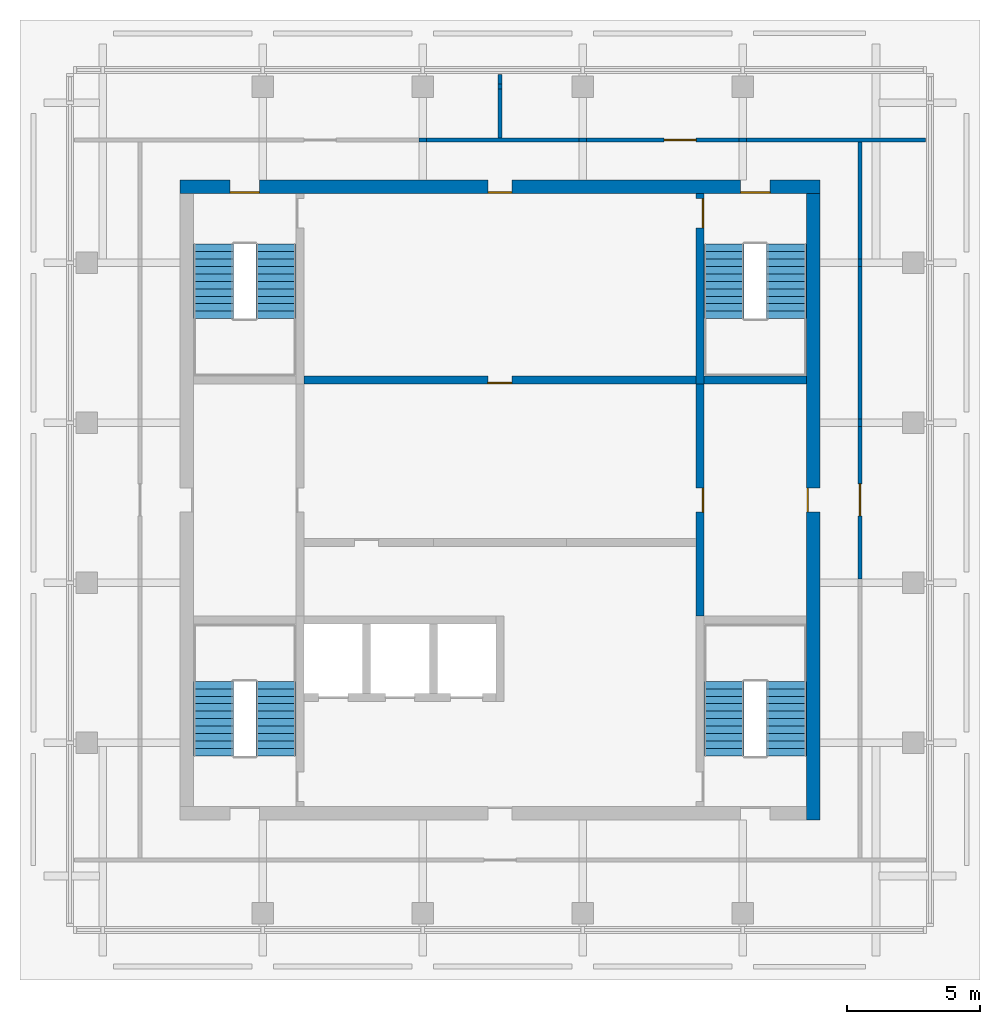
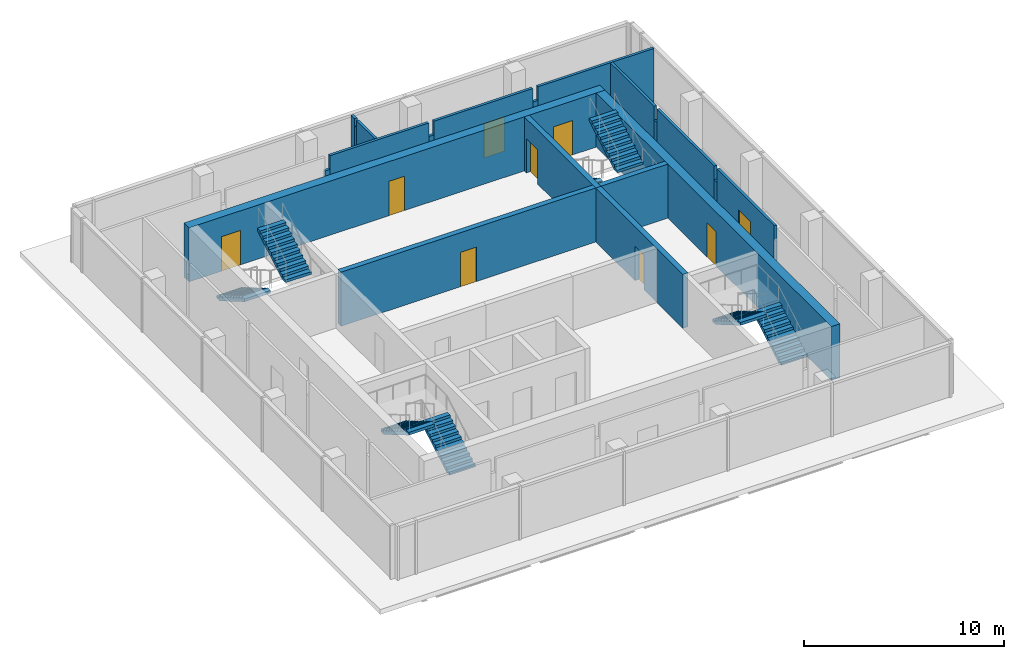
# One storey, part 4 of 5: 20 walls, 9 doors, 8 stair flights, 9 openings, 4 elements without a shape of their own.
"""IFC4 building model written with IfcOpenShell, lengths in metres."""

import ifcopenshell
import ifcopenshell.guid

model = None  # the IFC model being written
_history = None  # IfcOwnerHistory: only IFC2X3 demands one
_inside = {}  # id of a spatial element -> (the spatial element, [elements in it])
_under = {}  # id of a project, library or spatial element -> (it, [spatial elements below it])
_declared = {}  # id of a project -> (the project, [libraries it declares])
_typed = {}  # id of a type object -> (the type object, [elements of that type])
_made_of = {}  # id of a material, layer set ... -> (it, [elements and type objects made of it])


def new_model(schema):
    """Start an empty IFC model of exactly this schema.

    Asked for "IFC4X3", IfcOpenShell would pick the latest addendum, in which some entities
    have other attributes; the version numbers below select the first issue.
    IFC2X3 requires an IfcOwnerHistory on every rooted entity: one is made here for all.
    """
    global model, _history
    if schema == "IFC4X3":
        model = ifcopenshell.file(schema_version=(4, 3, 0, 0))
    else:
        model = ifcopenshell.file(schema=schema)
    _inside.clear()
    _under.clear()
    _declared.clear()
    _typed.clear()
    _made_of.clear()
    _history = None
    if model.schema == "IFC2X3":
        org = make("IfcOrganization", Name="unknown")
        user = make(
            "IfcPersonAndOrganization",
            ThePerson=make("IfcPerson", FamilyName="unknown"),
            TheOrganization=org,
        )
        app = make(
            "IfcApplication",
            ApplicationDeveloper=org,
            Version="unknown",
            ApplicationFullName="unknown",
            ApplicationIdentifier="unknown",
        )
        _history = make(
            "IfcOwnerHistory",
            OwningUser=user,
            OwningApplication=app,
            ChangeAction="ADDED",
            CreationDate=0,
        )
    return model


def make(cls, **values):
    """One entity of the class cls with the attributes given. An attribute that is None is left unset."""
    return model.create_entity(
        cls, **{name: value for name, value in values.items() if value is not None}
    )


def rooted(cls, **values):
    """An entity with a GlobalId (a new one), such as an element, a storey or a relation."""
    return make(cls, GlobalId=ifcopenshell.guid.new(), OwnerHistory=_history, **values)


def si_unit(unit_type, name, prefix=None):
    """IfcSIUnit, for example si_unit("LENGTHUNIT", "METRE", prefix="MILLI")."""
    return make("IfcSIUnit", UnitType=unit_type, Prefix=prefix, Name=name)


def assignment(units):
    """IfcUnitAssignment: the units of a project."""
    return None if units is None else make("IfcUnitAssignment", Units=units)


def point(xyz):
    """IfcCartesianPoint."""
    return None if xyz is None else make("IfcCartesianPoint", Coordinates=xyz)


def direction(xyz):
    """IfcDirection."""
    return None if xyz is None else make("IfcDirection", DirectionRatios=xyz)


def frame(location, z_axis=None, x_axis=None):
    """IfcAxis2Placement3D, a coordinate frame: its origin and axes. An axis left out is left unset."""
    return make(
        "IfcAxis2Placement3D",
        Location=point(location),
        Axis=direction(z_axis),
        RefDirection=direction(x_axis),
    )


def frame_2d(location, x_axis=None):
    """IfcAxis2Placement2D, a coordinate frame in the plane: its origin and x axis."""
    return make(
        "IfcAxis2Placement2D", Location=point(location), RefDirection=direction(x_axis)
    )


def origin():
    """The frame at (0, 0, 0) with its axes left unset."""
    return frame((0.0, 0.0, 0.0))


def place(relative_to, where):
    """IfcLocalPlacement: puts the frame where relative to a parent placement (None: the world)."""
    return make(
        "IfcLocalPlacement", PlacementRelTo=relative_to, RelativePlacement=where
    )


def context(
    kind, dimensions, precision=None, world=None, true_north=None, identifier=None
):
    """IfcGeometricRepresentationContext, for example the 3D "Model" context."""
    return make(
        "IfcGeometricRepresentationContext",
        ContextIdentifier=identifier,
        ContextType=kind,
        CoordinateSpaceDimension=dimensions,
        Precision=precision,
        WorldCoordinateSystem=world,
        TrueNorth=true_north,
    )


def subcontext(parent, identifier, kind, view, scale=None):
    """IfcGeometricRepresentationSubContext, for example "Body" below "Model"."""
    return make(
        "IfcGeometricRepresentationSubContext",
        ContextIdentifier=identifier,
        ContextType=kind,
        ParentContext=parent,
        TargetScale=scale,
        TargetView=view,
    )


def project(units=None, contexts=None):
    """IfcProject with its units and contexts."""
    return rooted(
        "IfcProject",
        Name="project",
        RepresentationContexts=contexts,
        UnitsInContext=assignment(units),
    )


def spatial(cls, under=None, at=None, **own):
    """A site, building, storey or space (cls), placed at a placement, below another one or the project."""
    s = rooted(cls, ObjectPlacement=at, **own)
    if under is not None:
        _under.setdefault(under.id(), (under, []))[1].append(s)
    return s


def polyline(points):
    """IfcPolyline through the points."""
    return make("IfcPolyline", Points=[point(p) for p in points])


def profile(cls, at=None, kind="AREA", **sizes):
    """A parametric profile (cls). Its sizes go by their IFC names, for example OverallWidth=200.0."""
    return make(cls, ProfileType=kind, Position=at, **sizes)


def rectangle(**sizes):
    """IfcRectangleProfileDef."""
    return profile("IfcRectangleProfileDef", **sizes)


def outline(outer, holes=None, kind="AREA"):
    """IfcArbitraryClosedProfileDef: a profile drawn as a closed curve; with holes, ...WithVoids."""
    if holes is None:
        return make("IfcArbitraryClosedProfileDef", ProfileType=kind, OuterCurve=outer)
    return make(
        "IfcArbitraryProfileDefWithVoids",
        ProfileType=kind,
        OuterCurve=outer,
        InnerCurves=holes,
    )


def extrude(swept, where, along, depth):
    """IfcExtrudedAreaSolid: the profile swept, set in the frame where, extruded along a direction by depth."""
    return make(
        "IfcExtrudedAreaSolid",
        SweptArea=swept,
        Position=where,
        ExtrudedDirection=direction(along),
        Depth=depth,
    )


def shape(context_of_items, identifier, shape_type, items):
    """IfcShapeRepresentation: the items that make up one representation, for example the "Body"."""
    return make(
        "IfcShapeRepresentation",
        ContextOfItems=context_of_items,
        RepresentationIdentifier=identifier,
        RepresentationType=shape_type,
        Items=items,
    )


def material(Name=None, Category=None):
    """IfcMaterial."""
    return make("IfcMaterial", Name=Name, Category=Category)


def layer(
    of_material, thickness, ventilated=None, Name=None, Category=None, Priority=None
):
    """IfcMaterialLayer: one layer of a wall or slab, of a material (None: an air gap)."""
    return make(
        "IfcMaterialLayer",
        Material=of_material,
        LayerThickness=thickness,
        IsVentilated=ventilated,
        Name=Name,
        Category=Category,
        Priority=Priority,
    )


def layer_set(layers, Name=None):
    """IfcMaterialLayerSet."""
    return make("IfcMaterialLayerSet", MaterialLayers=layers, LayerSetName=Name)


def made_of(thing, what):
    """Note that an element or type object is made of a material, layer set ...; save() writes the relation."""
    if what is not None:
        _made_of.setdefault(what.id(), (what, []))[1].append(thing)
    return thing


def type_object(cls, material=None, **own):
    """A type object (cls), such as IfcWallType, which elements share."""
    return made_of(rooted(cls, **own), material)


def element(
    cls,
    number,
    at=None,
    inside=None,
    cuts=None,
    type_object=None,
    material=None,
    context=None,
    identifier="Body",
    shape_type=None,
    held_by="IfcProductDefinitionShape",
    body=None,
    shapes=None,
    **own,
):
    """One element of the class cls, such as IfcWall. Its Tag is "e" and its number.

    at: its placement. inside: the storey or other place that contains it. cuts: it is an
    opening in that element (IfcRelVoidsElement). A single representation is given by context,
    identifier, shape_type and body (its items); several are given by shapes. held_by: the class
    of the entity that holds the representations. save() writes the other relations.
    """
    e = rooted(cls, Tag="e%d" % number, ObjectPlacement=at, **own)
    if body is not None:
        shapes = [shape(context, identifier, shape_type, body)]
    if shapes is not None:
        e.Representation = make(held_by, Representations=shapes)
    if inside is not None:
        _inside.setdefault(inside.id(), (inside, []))[1].append(e)
    if cuts is not None:
        rooted(
            "IfcRelVoidsElement", RelatingBuildingElement=cuts, RelatedOpeningElement=e
        )
    if type_object is not None:
        _typed.setdefault(type_object.id(), (type_object, []))[1].append(e)
    return made_of(e, material)


def fill(opening, filler):
    """IfcRelFillsElement: the door or window that sits in an opening."""
    return rooted(
        "IfcRelFillsElement",
        RelatingOpeningElement=opening,
        RelatedBuildingElement=filler,
    )


def aggregate(whole, parts):
    """IfcRelAggregates: a whole, such as a stair, and the parts it consists of."""
    return rooted("IfcRelAggregates", RelatingObject=whole, RelatedObjects=parts)


def save(model, path):
    """Write the relations noted so far, then the file.

    IfcRelAggregates (storeys below a building ...), IfcRelContainedInSpatialStructure (elements
    in a storey), IfcRelDefinesByType, IfcRelAssociatesMaterial and IfcRelDeclares: one each for
    every whole, place, type object, material and project.
    """
    for whole, parts in _under.values():
        aggregate(whole, parts)
    for where, things in _inside.values():
        rooted(
            "IfcRelContainedInSpatialStructure",
            RelatedElements=things,
            RelatingStructure=where,
        )
    for kind, things in _typed.values():
        rooted("IfcRelDefinesByType", RelatedObjects=things, RelatingType=kind)
    for what, things in _made_of.values():
        rooted("IfcRelAssociatesMaterial", RelatedObjects=things, RelatingMaterial=what)
    for by, libraries in _declared.values():
        rooted("IfcRelDeclares", RelatingContext=by, RelatedDefinitions=libraries)
    model.write(path)


model = new_model("IFC4")

# Units and contexts
model_context = context("Model", 3, precision=1e-05, world=origin(), true_north=direction((0.0, 1.0)))
body_context = subcontext(model_context, "Body", "Model", "MODEL_VIEW")
ifc_project = project(units=[si_unit("LENGTHUNIT", "METRE"), si_unit("AREAUNIT", "SQUARE_METRE"), si_unit("VOLUMEUNIT", "CUBIC_METRE"), si_unit("PLANEANGLEUNIT", "RADIAN"), si_unit("MASSUNIT", "GRAM", prefix="KILO")], contexts=[model_context])

# Site, building, storey
site_placement = place(None, origin())
site = spatial("IfcSite", under=ifc_project, at=site_placement, CompositionType="ELEMENT")
building_placement = place(site_placement, origin())
building = spatial("IfcBuilding", under=site, at=building_placement, Name="Amberfall Residences", CompositionType="ELEMENT")
storey_placement = place(building_placement, frame((0.0, 0.0, 294.39990234375)))
storey = spatial("IfcBuildingStorey", under=building, at=storey_placement, Name="L79 Crown", CompositionType="ELEMENT", Elevation=294.39990234375)

# Wall, opening, door
ifc_material_1 = material(Name="Concrete blockwork", Category="masonry")
ifc_layer_1 = layer(ifc_material_1, 0.300048828125)
ifc_layer_set_1 = layer_set([ifc_layer_1], Name="Blockwork partition 300")
wall_type_1 = type_object("IfcWallType", Name="Blockwork partition 300", PredefinedType="PARTITIONING", material=ifc_layer_set_1)
wall_1_placement = place(storey_placement, frame((82.0, 41.14990234375, 0.0), z_axis=(0.0, 0.0, 1.0), x_axis=(0.0, 1.0, 0.0)))
wall_1 = element("IfcWall", 1, at=wall_1_placement, inside=storey, type_object=wall_type_1, Name="L79 Crown core wall W2M", PredefinedType="PARTITIONING", context=body_context, shape_type="SweptSolid", body=[
    extrude(rectangle(XDim=8.7001953125, YDim=0.300048828125, at=frame_2d((4.35009765625, 0.0))), origin(), (0.0, 0.0, 1.0), 3.300048828125),
])
opening_1_placement = place(wall_1_placement, frame((3.89990234375, 0.0, 0.0)))
opening_1 = element("IfcOpeningElement", 2, at=opening_1_placement, cuts=wall_1, Name="Opening RD1", PredefinedType="OPENING", context=body_context, shape_type="SweptSolid", body=[
    extrude(rectangle(XDim=0.89990234375, YDim=2.10009765625, at=frame_2d((0.449951171875, 1.050048828125))), frame((0.0, 0.159912109375, 0.0), z_axis=(0.0, -1.0, 0.0), x_axis=(1.0, 0.0, 0.0)), (0.0, 0.0, 1.0), 0.320068359375),
])
ifc_material_2 = material(Name="Steel fire door set", Category="steel")
door_type_1 = type_object("IfcDoorType", Name="Service room door 900 x 2100", OperationType="SINGLE_SWING_LEFT", PredefinedType="DOOR", material=ifc_material_2)
door_1_placement = place(opening_1_placement, origin())
door_1 = element("IfcDoor", 3, at=door_1_placement, inside=storey, type_object=door_type_1, Name="RD1 L79 Crown", OperationType="SINGLE_SWING_RIGHT", OverallHeight=2.10009765625, OverallWidth=0.89990234375, PredefinedType="DOOR", context=body_context, shape_type="SweptSolid", body=[
    extrude(rectangle(XDim=0.89990234375, YDim=2.10009765625, at=frame_2d((0.449951171875, 1.050048828125))), frame((0.0, -0.08740234375, 0.0), z_axis=(0.0, -1.0, 0.0), x_axis=(1.0, 0.0, 0.0)), (0.0, 0.0, 1.0), 0.050048828125),
])
fill(opening_1, door_1)

wall_2_placement = place(storey_placement, frame((67.14990234375, 50.0, 0.0), z_axis=(0.0, 0.0, 1.0), x_axis=(1.0, 0.0, 0.0)))
wall_2 = element("IfcWall", 4, at=wall_2_placement, inside=storey, type_object=wall_type_1, Name="L79 Crown core wall W5", PredefinedType="PARTITIONING", context=body_context, shape_type="SweptSolid", body=[
    extrude(rectangle(XDim=14.7001953125, YDim=0.300048828125, at=frame_2d((7.35009765625, 0.0))), origin(), (0.0, 0.0, 1.0), 3.300048828125),
])
opening_2_placement = place(wall_2_placement, frame((6.89990234375, 0.0, 0.0)))
opening_2 = element("IfcOpeningElement", 5, at=opening_2_placement, cuts=wall_2, Name="Opening RD1", PredefinedType="OPENING", context=body_context, shape_type="SweptSolid", body=[
    extrude(rectangle(XDim=0.89990234375, YDim=2.10009765625, at=frame_2d((0.449951171875, 1.050048828125))), frame((0.0, 0.159912109375, 0.0), z_axis=(0.0, -1.0, 0.0), x_axis=(1.0, 0.0, 0.0)), (0.0, 0.0, 1.0), 0.320068359375),
])
door_2_placement = place(opening_2_placement, origin())
door_2 = element("IfcDoor", 6, at=door_2_placement, inside=storey, type_object=door_type_1, Name="RD1 L79 Crown", OperationType="SINGLE_SWING_RIGHT", OverallHeight=2.10009765625, OverallWidth=0.89990234375, PredefinedType="DOOR", context=body_context, shape_type="SweptSolid", body=[
    extrude(rectangle(XDim=0.89990234375, YDim=2.10009765625, at=frame_2d((0.449951171875, 1.050048828125))), frame((0.0, -0.08740234375, 0.0), z_axis=(0.0, -1.0, 0.0), x_axis=(1.0, 0.0, 0.0)), (0.0, 0.0, 1.0), 0.050048828125),
])
fill(opening_2, door_2)

# Wall, openings, doors
ifc_material_3 = material(Name="Concrete C50", Category="concrete")
ifc_layer_2 = layer(ifc_material_3, 0.5)
ifc_layer_set_2 = layer_set([ifc_layer_2], Name="Core wall 500 C50")
wall_type_2 = type_object("IfcWallType", Name="Core wall 500 C50", PredefinedType="SHEAR", material=ifc_layer_set_2)
wall_3_placement = place(storey_placement, frame((62.5, 57.25, 0.0), z_axis=(0.0, 0.0, 1.0), x_axis=(1.0, 0.0, 0.0)))
wall_3 = element("IfcWall", 7, at=wall_3_placement, inside=storey, type_object=wall_type_2, Name="Core wall RW9 L79 Crown ON", PredefinedType="SHEAR", context=body_context, shape_type="SweptSolid", body=[
    extrude(rectangle(XDim=24.0, YDim=0.5, at=frame_2d((12.0, 0.0))), origin(), (0.0, 0.0, 1.0), 3.300048828125),
])
opening_3_placement = place(wall_3_placement, frame((21.02490234375, 0.0, 0.0)))
opening_3 = element("IfcOpeningElement", 8, at=opening_3_placement, cuts=wall_3, Name="Opening SD1", PredefinedType="OPENING", context=body_context, shape_type="SweptSolid", body=[
    extrude(rectangle(XDim=1.10009765625, YDim=2.10009765625, at=frame_2d((0.550048828125, 1.050048828125))), frame((0.0, 0.260009765625, 0.0), z_axis=(0.0, -1.0, 0.0), x_axis=(1.0, 0.0, 0.0)), (0.0, 0.0, 1.0), 0.52001953125),
])
opening_4_placement = place(wall_3_placement, frame((1.875, 0.0, 0.0)))
opening_4 = element("IfcOpeningElement", 9, at=opening_4_placement, cuts=wall_3, Name="Opening SD1", PredefinedType="OPENING", context=body_context, shape_type="SweptSolid", body=[
    extrude(rectangle(XDim=1.10009765625, YDim=2.10009765625, at=frame_2d((0.550048828125, 1.050048828125))), frame((0.0, 0.260009765625, 0.0), z_axis=(0.0, -1.0, 0.0), x_axis=(1.0, 0.0, 0.0)), (0.0, 0.0, 1.0), 0.52001953125),
])
opening_5_placement = place(wall_3_placement, frame((11.550048828125, 0.0, 0.0)))
opening_5 = element("IfcOpeningElement", 10, at=opening_5_placement, cuts=wall_3, Name="Opening RD1", PredefinedType="OPENING", context=body_context, shape_type="SweptSolid", body=[
    extrude(rectangle(XDim=0.89990234375, YDim=2.10009765625, at=frame_2d((0.449951171875, 1.050048828125))), frame((0.0, 0.260009765625, 0.0), z_axis=(0.0, -1.0, 0.0), x_axis=(1.0, 0.0, 0.0)), (0.0, 0.0, 1.0), 0.52001953125),
])
door_3_placement = place(opening_5_placement, origin())
door_3 = element("IfcDoor", 11, at=door_3_placement, inside=storey, type_object=door_type_1, Name="RD1 L79 Crown", OperationType="SINGLE_SWING_RIGHT", OverallHeight=2.10009765625, OverallWidth=0.89990234375, PredefinedType="DOOR", context=body_context, shape_type="SweptSolid", body=[
    extrude(rectangle(XDim=0.89990234375, YDim=2.10009765625, at=frame_2d((0.449951171875, 1.050048828125))), frame((0.0, -0.1875, 0.0), z_axis=(0.0, -1.0, 0.0), x_axis=(1.0, 0.0, 0.0)), (0.0, 0.0, 1.0), 0.050048828125),
])
fill(opening_5, door_3)
door_type_2 = type_object("IfcDoorType", Name="Stair door 1100 x 2100", OperationType="SINGLE_SWING_LEFT", PredefinedType="DOOR", material=ifc_material_2)
door_4_placement = place(opening_3_placement, origin())
door_4 = element("IfcDoor", 12, at=door_4_placement, inside=storey, type_object=door_type_2, Name="SD1 L79 Crown", OperationType="SINGLE_SWING_RIGHT", OverallHeight=2.10009765625, OverallWidth=1.10009765625, PredefinedType="DOOR", context=body_context, shape_type="SweptSolid", body=[
    extrude(rectangle(XDim=1.10009765625, YDim=2.10009765625, at=frame_2d((0.550048828125, 1.050048828125))), frame((0.0, -0.1875, 0.0), z_axis=(0.0, -1.0, 0.0), x_axis=(1.0, 0.0, 0.0)), (0.0, 0.0, 1.0), 0.050048828125),
])
fill(opening_3, door_4)
door_5_placement = place(opening_4_placement, origin())
door_5 = element("IfcDoor", 13, at=door_5_placement, inside=storey, type_object=door_type_2, Name="SD1 L79 Crown", OperationType="SINGLE_SWING_LEFT", OverallHeight=2.10009765625, OverallWidth=1.10009765625, PredefinedType="DOOR", context=body_context, shape_type="SweptSolid", body=[
    extrude(rectangle(XDim=1.10009765625, YDim=2.10009765625, at=frame_2d((0.550048828125, 1.050048828125))), frame((0.0, -0.1875, 0.0), z_axis=(0.0, -1.0, 0.0), x_axis=(1.0, 0.0, 0.0)), (0.0, 0.0, 1.0), 0.050048828125),
])
fill(opening_4, door_5)

# Wall, opening, door
wall_4_placement = place(storey_placement, frame((86.25, 33.5, 0.0), z_axis=(0.0, 0.0, 1.0), x_axis=(0.0, 1.0, 0.0)))
wall_4 = element("IfcWall", 14, at=wall_4_placement, inside=storey, type_object=wall_type_2, Name="Core wall RW9 L79 Crown OE", PredefinedType="SHEAR", context=body_context, shape_type="SweptSolid", body=[
    extrude(rectangle(XDim=24.0, YDim=0.5, at=frame_2d((12.0, 0.0))), origin(), (0.0, 0.0, 1.0), 3.300048828125),
])
opening_6_placement = place(wall_4_placement, frame((11.550048828125, 0.0, 0.0)))
opening_6 = element("IfcOpeningElement", 15, at=opening_6_placement, cuts=wall_4, Name="Opening RD1", PredefinedType="OPENING", context=body_context, shape_type="SweptSolid", body=[
    extrude(rectangle(XDim=0.89990234375, YDim=2.10009765625, at=frame_2d((0.449951171875, 1.050048828125))), frame((0.0, 0.260009765625, 0.0), z_axis=(0.0, -1.0, 0.0), x_axis=(1.0, 0.0, 0.0)), (0.0, 0.0, 1.0), 0.52001953125),
])
door_6_placement = place(opening_6_placement, origin())
door_6 = element("IfcDoor", 16, at=door_6_placement, inside=storey, type_object=door_type_1, Name="RD1 L79 Crown", OperationType="SINGLE_SWING_RIGHT", OverallHeight=2.10009765625, OverallWidth=0.89990234375, PredefinedType="DOOR", context=body_context, shape_type="SweptSolid", body=[
    extrude(rectangle(XDim=0.89990234375, YDim=2.10009765625, at=frame_2d((0.449951171875, 1.050048828125))), frame((0.0, 0.2373046875, 0.0), z_axis=(0.0, -1.0, 0.0), x_axis=(1.0, 0.0, 0.0)), (0.0, 0.0, 1.0), 0.050048828125),
])
fill(opening_6, door_6)

# Walls
ifc_material_4 = material(Name="Fire-rated gypsum board on steel studs", Category="steel")
ifc_layer_3 = layer(ifc_material_4, 0.14990234375)
ifc_layer_set_3 = layer_set([ifc_layer_3], Name="Partition 150 fire-rated")
wall_type_3 = type_object("IfcWallType", Name="Partition 150 fire-rated", PredefinedType="PARTITIONING", material=ifc_layer_set_3)
wall_5_placement = place(storey_placement, frame((71.4541015625, 59.0, 0.0), z_axis=(0.0, 0.0, 1.0), x_axis=(1.0, 0.0, 0.0)))
element("IfcWall", 17, at=wall_5_placement, inside=storey, type_object=wall_type_3, Name="Partition 150 fire-rated L79 Crown 013", PredefinedType="PARTITIONING", context=body_context, shape_type="SweptSolid", body=[
    extrude(rectangle(XDim=0.291748046875, YDim=0.14990234375, at=frame_2d((0.14599609375, 0.0))), origin(), (0.0, 0.0, 1.0), 2.465087890625),
])
wall_6_placement = place(storey_placement, frame((71.745849609375, 59.0, 0.0), z_axis=(0.0, 0.0, 1.0), x_axis=(1.0, 0.0, 0.0)))
element("IfcWall", 18, at=wall_6_placement, inside=storey, type_object=wall_type_3, Name="Partition 150 fire-rated L79 Crown 014", PredefinedType="PARTITIONING", context=body_context, shape_type="SweptSolid", body=[
    extrude(rectangle(XDim=5.708251953125, YDim=0.14990234375, at=frame_2d((2.85400390625, 0.0))), origin(), (0.0, 0.0, 1.0), 3.300048828125),
])
wall_7_placement = place(storey_placement, frame((77.4541015625, 59.0, 0.0), z_axis=(0.0, 0.0, 1.0), x_axis=(1.0, 0.0, 0.0)))
element("IfcWall", 19, at=wall_7_placement, inside=storey, type_object=wall_type_3, Name="Partition 150 fire-rated L79 Crown 015", PredefinedType="PARTITIONING", context=body_context, shape_type="SweptSolid", body=[
    extrude(rectangle(XDim=0.291748046875, YDim=0.14990234375, at=frame_2d((0.14599609375, 0.0))), origin(), (0.0, 0.0, 1.0), 2.465087890625),
])

# Wall, opening, door
wall_8_placement = place(storey_placement, frame((77.745849609375, 59.0, 0.0), z_axis=(0.0, 0.0, 1.0), x_axis=(1.0, 0.0, 0.0)))
wall_8 = element("IfcWall", 20, at=wall_8_placement, inside=storey, type_object=wall_type_3, Name="Partition 150 fire-rated L79 Crown 016", PredefinedType="PARTITIONING", context=body_context, shape_type="SweptSolid", body=[
    extrude(rectangle(XDim=5.708251953125, YDim=0.14990234375, at=frame_2d((2.85400390625, 0.0))), origin(), (0.0, 0.0, 1.0), 3.300048828125),
])
opening_7_placement = place(wall_8_placement, frame((2.904296875, 0.0, 0.0)))
opening_7 = element("IfcOpeningElement", 21, at=opening_7_placement, cuts=wall_8, Name="Opening D7", PredefinedType="OPENING", context=body_context, shape_type="SweptSolid", body=[
    extrude(rectangle(XDim=1.199951171875, YDim=2.10009765625, at=frame_2d((0.60009765625, 1.050048828125))), frame((0.0, 0.0849609375, 0.0), z_axis=(0.0, -1.0, 0.0), x_axis=(1.0, 0.0, 0.0)), (0.0, 0.0, 1.0), 0.169921875),
])
ifc_material_5 = material(Name="Steel fire door leaf", Category="steel")
door_type_3 = type_object("IfcDoorType", Name="Plant room door 1200x2100", OperationType="SINGLE_SWING_LEFT", PredefinedType="DOOR", material=ifc_material_5)
door_7_placement = place(opening_7_placement, origin())
door_7 = element("IfcDoor", 22, at=door_7_placement, inside=storey, type_object=door_type_3, Name="Door Telecom plant room", OperationType="SINGLE_SWING_LEFT", OverallHeight=2.10009765625, OverallWidth=1.199951171875, PredefinedType="DOOR", context=body_context, shape_type="SweptSolid", body=[
    extrude(rectangle(XDim=1.199951171875, YDim=2.10009765625, at=frame_2d((0.60009765625, 1.050048828125))), frame((0.0, 0.02490234375, 0.0), z_axis=(0.0, -1.0, 0.0), x_axis=(1.0, 0.0, 0.0)), (0.0, 0.0, 1.0), 0.050048828125),
])
fill(opening_7, door_7)

# Walls
wall_9_placement = place(storey_placement, frame((83.4541015625, 59.0, 0.0), z_axis=(0.0, 0.0, 1.0), x_axis=(1.0, 0.0, 0.0)))
element("IfcWall", 23, at=wall_9_placement, inside=storey, type_object=wall_type_3, Name="Partition 150 fire-rated L79 Crown 017", PredefinedType="PARTITIONING", context=body_context, shape_type="SweptSolid", body=[
    extrude(rectangle(XDim=0.291748046875, YDim=0.14990234375, at=frame_2d((0.14599609375, 0.0))), origin(), (0.0, 0.0, 1.0), 2.465087890625),
])
wall_10_placement = place(storey_placement, frame((83.745849609375, 59.0, 0.0), z_axis=(0.0, 0.0, 1.0), x_axis=(1.0, 0.0, 0.0)))
element("IfcWall", 24, at=wall_10_placement, inside=storey, type_object=wall_type_3, Name="Partition 150 fire-rated L79 Crown 018", PredefinedType="PARTITIONING", context=body_context, shape_type="SweptSolid", body=[
    extrude(rectangle(XDim=6.7041015625, YDim=0.14990234375, at=frame_2d((3.35205078125, 0.0))), origin(), (0.0, 0.0, 1.0), 3.300048828125),
])
wall_11_placement = place(storey_placement, frame((74.5, 59.074951171875, 0.0), z_axis=(0.0, 0.0, 1.0), x_axis=(0.0, 1.0, 0.0)))
element("IfcWall", 25, at=wall_11_placement, inside=storey, type_object=wall_type_3, Name="Partition 150 fire-rated L79 Crown 028", PredefinedType="PARTITIONING", context=body_context, shape_type="SweptSolid", body=[
    extrude(rectangle(XDim=1.830078125, YDim=0.14990234375, at=frame_2d((0.9150390625, 0.0))), origin(), (0.0, 0.0, 1.0), 3.300048828125),
])
wall_12_placement = place(storey_placement, frame((74.5, 60.905029296875, 0.0), z_axis=(0.0, 0.0, 1.0), x_axis=(0.0, 1.0, 0.0)))
element("IfcWall", 26, at=wall_12_placement, inside=storey, type_object=wall_type_3, Name="Partition 150 fire-rated L79 Crown 029", PredefinedType="PARTITIONING", context=body_context, shape_type="SweptSolid", body=[
    extrude(rectangle(XDim=0.18994140625, YDim=0.14990234375, at=frame_2d((0.094970703125, 0.0))), origin(), (0.0, 0.0, 1.0), 2.84716796875),
])
wall_13_placement = place(storey_placement, frame((74.5, 61.094970703125, 0.0), z_axis=(0.0, 0.0, 1.0), x_axis=(0.0, 1.0, 0.0)))
element("IfcWall", 27, at=wall_13_placement, inside=storey, type_object=wall_type_3, Name="Partition 150 fire-rated L79 Crown 030", PredefinedType="PARTITIONING", context=body_context, shape_type="SweptSolid", body=[
    extrude(rectangle(XDim=0.35498046875, YDim=0.14990234375, at=frame_2d((0.177490234375, 0.0))), origin(), (0.0, 0.0, 1.0), 3.300048828125),
])

# Wall, opening, door
wall_14_placement = place(storey_placement, frame((88.0, 42.5458984375, 0.0), z_axis=(0.0, 0.0, 1.0), x_axis=(0.0, 1.0, 0.0)))
wall_14 = element("IfcWall", 28, at=wall_14_placement, inside=storey, type_object=wall_type_3, Name="Partition 150 fire-rated L79 Crown 035", PredefinedType="PARTITIONING", context=body_context, shape_type="SweptSolid", body=[
    extrude(rectangle(XDim=5.708251953125, YDim=0.14990234375, at=frame_2d((2.85400390625, 0.0))), origin(), (0.0, 0.0, 1.0), 3.300048828125),
])
opening_8_placement = place(wall_14_placement, frame((2.354248046875, 0.0, 0.0)))
opening_8 = element("IfcOpeningElement", 29, at=opening_8_placement, cuts=wall_14, Name="Opening D7", PredefinedType="OPENING", context=body_context, shape_type="SweptSolid", body=[
    extrude(rectangle(XDim=1.199951171875, YDim=2.10009765625, at=frame_2d((0.60009765625, 1.050048828125))), frame((0.0, 0.0849609375, 0.0), z_axis=(0.0, -1.0, 0.0), x_axis=(1.0, 0.0, 0.0)), (0.0, 0.0, 1.0), 0.169921875),
])
door_8_placement = place(opening_8_placement, origin())
door_8 = element("IfcDoor", 30, at=door_8_placement, inside=storey, type_object=door_type_3, Name="Door Mast plant room", OperationType="SINGLE_SWING_LEFT", OverallHeight=2.10009765625, OverallWidth=1.199951171875, PredefinedType="DOOR", context=body_context, shape_type="SweptSolid", body=[
    extrude(rectangle(XDim=1.199951171875, YDim=2.10009765625, at=frame_2d((0.60009765625, 1.050048828125))), frame((0.0, 0.02490234375, 0.0), z_axis=(0.0, -1.0, 0.0), x_axis=(1.0, 0.0, 0.0)), (0.0, 0.0, 1.0), 0.050048828125),
])
fill(opening_8, door_8)

# Walls
wall_15_placement = place(storey_placement, frame((88.0, 48.254150390625, 0.0), z_axis=(0.0, 0.0, 1.0), x_axis=(0.0, 1.0, 0.0)))
element("IfcWall", 31, at=wall_15_placement, inside=storey, type_object=wall_type_3, Name="Partition 150 fire-rated L79 Crown 036", PredefinedType="PARTITIONING", context=body_context, shape_type="SweptSolid", body=[
    extrude(rectangle(XDim=0.291748046875, YDim=0.14990234375, at=frame_2d((0.14599609375, 0.0))), origin(), (0.0, 0.0, 1.0), 2.465087890625),
])
wall_16_placement = place(storey_placement, frame((88.0, 48.5458984375, 0.0), z_axis=(0.0, 0.0, 1.0), x_axis=(0.0, 1.0, 0.0)))
element("IfcWall", 32, at=wall_16_placement, inside=storey, type_object=wall_type_3, Name="Partition 150 fire-rated L79 Crown 037", PredefinedType="PARTITIONING", context=body_context, shape_type="SweptSolid", body=[
    extrude(rectangle(XDim=5.708251953125, YDim=0.14990234375, at=frame_2d((2.85400390625, 0.0))), origin(), (0.0, 0.0, 1.0), 3.300048828125),
])
wall_17_placement = place(storey_placement, frame((88.0, 54.254150390625, 0.0), z_axis=(0.0, 0.0, 1.0), x_axis=(0.0, 1.0, 0.0)))
element("IfcWall", 33, at=wall_17_placement, inside=storey, type_object=wall_type_3, Name="Partition 150 fire-rated L79 Crown 038", PredefinedType="PARTITIONING", context=body_context, shape_type="SweptSolid", body=[
    extrude(rectangle(XDim=0.291748046875, YDim=0.14990234375, at=frame_2d((0.14599609375, 0.0))), origin(), (0.0, 0.0, 1.0), 2.465087890625),
])
wall_18_placement = place(storey_placement, frame((88.0, 54.5458984375, 0.0), z_axis=(0.0, 0.0, 1.0), x_axis=(0.0, 1.0, 0.0)))
element("IfcWall", 34, at=wall_18_placement, inside=storey, type_object=wall_type_3, Name="Partition 150 fire-rated L79 Crown 039", PredefinedType="PARTITIONING", context=body_context, shape_type="SweptSolid", body=[
    extrude(rectangle(XDim=4.379150390625, YDim=0.14990234375, at=frame_2d((2.189453125, 0.0))), origin(), (0.0, 0.0, 1.0), 3.300048828125),
])

# Wall, opening, door
ifc_layer_4 = layer(ifc_material_3, 0.300048828125)
ifc_layer_set_4 = layer_set([ifc_layer_4], Name="Stair well wall 300 C50")
wall_type_4 = type_object("IfcWallType", Name="Stair well wall 300 C50", PredefinedType="SHEAR", material=ifc_layer_set_4)
wall_19_placement = place(storey_placement, frame((82.0, 49.85009765625, 0.0), z_axis=(0.0, 0.0, 1.0), x_axis=(0.0, 1.0, 0.0)))
wall_19 = element("IfcWall", 35, at=wall_19_placement, inside=storey, type_object=wall_type_4, Name="L79 Crown stair well wall W2N", PredefinedType="SHEAR", context=body_context, shape_type="SweptSolid", body=[
    extrude(rectangle(XDim=7.14990234375, YDim=0.300048828125, at=frame_2d((3.574951171875, 0.0))), origin(), (0.0, 0.0, 1.0), 3.300048828125),
])
opening_9_placement = place(wall_19_placement, frame((5.85009765625, 0.0, 0.0)))
opening_9 = element("IfcOpeningElement", 36, at=opening_9_placement, cuts=wall_19, Name="Opening SD1", PredefinedType="OPENING", context=body_context, shape_type="SweptSolid", body=[
    extrude(rectangle(XDim=1.10009765625, YDim=2.10009765625, at=frame_2d((0.550048828125, 1.050048828125))), frame((0.0, 0.159912109375, 0.0), z_axis=(0.0, -1.0, 0.0), x_axis=(1.0, 0.0, 0.0)), (0.0, 0.0, 1.0), 0.320068359375),
])
door_9_placement = place(opening_9_placement, origin())
door_9 = element("IfcDoor", 37, at=door_9_placement, inside=storey, type_object=door_type_2, Name="SD1 L79 Crown", OperationType="SINGLE_SWING_RIGHT", OverallHeight=2.10009765625, OverallWidth=1.10009765625, PredefinedType="DOOR", context=body_context, shape_type="SweptSolid", body=[
    extrude(rectangle(XDim=1.10009765625, YDim=2.10009765625, at=frame_2d((0.550048828125, 1.050048828125))), frame((0.0, -0.08740234375, 0.0), z_axis=(0.0, -1.0, 0.0), x_axis=(1.0, 0.0, 0.0)), (0.0, 0.0, 1.0), 0.050048828125),
])
fill(opening_9, door_9)

# Wall
wall_20_placement = place(storey_placement, frame((82.14990234375, 50.0, 0.0), z_axis=(0.0, 0.0, 1.0), x_axis=(1.0, 0.0, 0.0)))
element("IfcWall", 38, at=wall_20_placement, inside=storey, type_object=wall_type_4, Name="L79 Crown stair well wall W4e", PredefinedType="SHEAR", context=body_context, shape_type="SweptSolid", body=[
    extrude(rectangle(XDim=3.85009765625, YDim=0.300048828125, at=frame_2d((1.925048828125, 0.0))), origin(), (0.0, 0.0, 1.0), 3.300048828125),
])

# Stair, stair flights
ifc_material_6 = material(Name="Concrete C40", Category="concrete")
stair_type = type_object("IfcStairType", Name="Exit stair 22 risers 163.6 mm", PredefinedType="HALF_TURN_STAIR", material=ifc_material_6)
stair_1_placement = place(storey_placement, origin())
stair_1 = element("IfcStair", 39, at=stair_1_placement, inside=storey, type_object=stair_type, Name="L79 Crown Exit stair 1", PredefinedType="HALF_TURN_STAIR")
stair_flight_type = type_object("IfcStairFlightType", Name="Stair flight 11 risers 163.6 mm", PredefinedType="STRAIGHT", material=ifc_material_6)
stair_flight_1_placement = place(storey_placement, frame((66.10009765625, 35.89990234375, 0.0), z_axis=(0.0, 0.0, 1.0), x_axis=(0.0, 1.0, 0.0)))
stair_flight_1 = element("IfcStairFlight", 40, at=stair_flight_1_placement, type_object=stair_flight_type, Name="ST5 flight 1", NumberOfRisers=11, NumberOfTreads=10, PredefinedType="STRAIGHT", RiserHeight=0.163636364, TreadLength=0.28, context=body_context, shape_type="SweptSolid", body=[
    extrude(outline(polyline([(0.0, 0.0), (0.0, 0.16357421875), (0.280029296875, 0.16357421875), (0.280029296875, 0.327392578125), (0.56005859375, 0.327392578125), (0.56005859375, 0.490966796875), (0.840087890625, 0.490966796875), (0.840087890625, 0.654541015625), (1.1201171875, 0.654541015625), (1.1201171875, 0.818115234375), (1.39990234375, 0.818115234375), (1.39990234375, 0.98193359375), (1.679931640625, 0.98193359375), (1.679931640625, 1.1455078125), (1.9599609375, 1.1455078125), (1.9599609375, 1.30908203125), (2.239990234375, 1.30908203125), (2.239990234375, 1.47265625), (2.52001953125, 1.47265625), (2.52001953125, 1.636474609375), (2.800048828125, 1.636474609375), (2.800048828125, 1.800048828125), (2.800048828125, 1.462646484375), (0.297119140625, 0.0), (0.0, 0.0)])), frame((0.0, 0.75, 0.0), z_axis=(0.0, -1.0, 0.0), x_axis=(1.0, 0.0, 0.0)), (0.0, 0.0, 1.0), 1.5),
])
stair_flight_2_placement = place(storey_placement, frame((63.75, 38.699951171875, 1.800048828125), z_axis=(0.0, 0.0, 1.0), x_axis=(0.0, -1.0, 0.0)))
stair_flight_2 = element("IfcStairFlight", 41, at=stair_flight_2_placement, type_object=stair_flight_type, Name="ST5 flight 2", NumberOfRisers=11, NumberOfTreads=10, PredefinedType="STRAIGHT", RiserHeight=0.163636364, TreadLength=0.28, context=body_context, shape_type="SweptSolid", body=[
    extrude(outline(polyline([(0.0, 0.0), (0.0, 0.16357421875), (0.280029296875, 0.16357421875), (0.280029296875, 0.327392578125), (0.56005859375, 0.327392578125), (0.56005859375, 0.490966796875), (0.840087890625, 0.490966796875), (0.840087890625, 0.654541015625), (1.1201171875, 0.654541015625), (1.1201171875, 0.818115234375), (1.39990234375, 0.818115234375), (1.39990234375, 0.98193359375), (1.679931640625, 0.98193359375), (1.679931640625, 1.1455078125), (1.9599609375, 1.1455078125), (1.9599609375, 1.30908203125), (2.239990234375, 1.30908203125), (2.239990234375, 1.47265625), (2.52001953125, 1.47265625), (2.52001953125, 1.636474609375), (2.800048828125, 1.636474609375), (2.800048828125, 1.800048828125), (2.800048828125, 1.462646484375), (0.297119140625, 0.0), (0.0, 0.0)])), frame((0.0, 0.75, 0.0), z_axis=(0.0, -1.0, 0.0), x_axis=(1.0, 0.0, 0.0)), (0.0, 0.0, 1.0), 1.5),
])
aggregate(stair_1, [stair_flight_1, stair_flight_2])

stair_2_placement = place(storey_placement, origin())
stair_2 = element("IfcStair", 42, at=stair_2_placement, inside=storey, type_object=stair_type, Name="L79 Crown Exit stair 2", PredefinedType="HALF_TURN_STAIR")
stair_flight_3_placement = place(storey_placement, frame((85.25, 35.89990234375, 0.0), z_axis=(0.0, 0.0, 1.0), x_axis=(0.0, 1.0, 0.0)))
stair_flight_3 = element("IfcStairFlight", 43, at=stair_flight_3_placement, type_object=stair_flight_type, Name="ST5 flight 1", NumberOfRisers=11, NumberOfTreads=10, PredefinedType="STRAIGHT", RiserHeight=0.163636364, TreadLength=0.28, context=body_context, shape_type="SweptSolid", body=[
    extrude(outline(polyline([(0.0, 0.0), (0.0, 0.16357421875), (0.280029296875, 0.16357421875), (0.280029296875, 0.327392578125), (0.56005859375, 0.327392578125), (0.56005859375, 0.490966796875), (0.840087890625, 0.490966796875), (0.840087890625, 0.654541015625), (1.1201171875, 0.654541015625), (1.1201171875, 0.818115234375), (1.39990234375, 0.818115234375), (1.39990234375, 0.98193359375), (1.679931640625, 0.98193359375), (1.679931640625, 1.1455078125), (1.9599609375, 1.1455078125), (1.9599609375, 1.30908203125), (2.239990234375, 1.30908203125), (2.239990234375, 1.47265625), (2.52001953125, 1.47265625), (2.52001953125, 1.636474609375), (2.800048828125, 1.636474609375), (2.800048828125, 1.800048828125), (2.800048828125, 1.462646484375), (0.297119140625, 0.0), (0.0, 0.0)])), frame((0.0, 0.75, 0.0), z_axis=(0.0, -1.0, 0.0), x_axis=(1.0, 0.0, 0.0)), (0.0, 0.0, 1.0), 1.5),
])
stair_flight_4_placement = place(storey_placement, frame((82.89990234375, 38.699951171875, 1.800048828125), z_axis=(0.0, 0.0, 1.0), x_axis=(0.0, -1.0, 0.0)))
stair_flight_4 = element("IfcStairFlight", 44, at=stair_flight_4_placement, type_object=stair_flight_type, Name="ST5 flight 2", NumberOfRisers=11, NumberOfTreads=10, PredefinedType="STRAIGHT", RiserHeight=0.163636364, TreadLength=0.28, context=body_context, shape_type="SweptSolid", body=[
    extrude(outline(polyline([(0.0, 0.0), (0.0, 0.16357421875), (0.280029296875, 0.16357421875), (0.280029296875, 0.327392578125), (0.56005859375, 0.327392578125), (0.56005859375, 0.490966796875), (0.840087890625, 0.490966796875), (0.840087890625, 0.654541015625), (1.1201171875, 0.654541015625), (1.1201171875, 0.818115234375), (1.39990234375, 0.818115234375), (1.39990234375, 0.98193359375), (1.679931640625, 0.98193359375), (1.679931640625, 1.1455078125), (1.9599609375, 1.1455078125), (1.9599609375, 1.30908203125), (2.239990234375, 1.30908203125), (2.239990234375, 1.47265625), (2.52001953125, 1.47265625), (2.52001953125, 1.636474609375), (2.800048828125, 1.636474609375), (2.800048828125, 1.800048828125), (2.800048828125, 1.462646484375), (0.297119140625, 0.0), (0.0, 0.0)])), frame((0.0, 0.75, 0.0), z_axis=(0.0, -1.0, 0.0), x_axis=(1.0, 0.0, 0.0)), (0.0, 0.0, 1.0), 1.5),
])
aggregate(stair_2, [stair_flight_3, stair_flight_4])

stair_3_placement = place(storey_placement, origin())
stair_3 = element("IfcStair", 45, at=stair_3_placement, inside=storey, type_object=stair_type, Name="L79 Crown Exit stair 3", PredefinedType="HALF_TURN_STAIR")
stair_flight_5_placement = place(storey_placement, frame((82.89990234375, 55.10009765625, 0.0), z_axis=(0.0, 0.0, 1.0), x_axis=(0.0, -1.0, 0.0)))
stair_flight_5 = element("IfcStairFlight", 46, at=stair_flight_5_placement, type_object=stair_flight_type, Name="ST5 flight 1", NumberOfRisers=11, NumberOfTreads=10, PredefinedType="STRAIGHT", RiserHeight=0.163636364, TreadLength=0.28, context=body_context, shape_type="SweptSolid", body=[
    extrude(outline(polyline([(0.0, 0.0), (0.0, 0.16357421875), (0.280029296875, 0.16357421875), (0.280029296875, 0.327392578125), (0.56005859375, 0.327392578125), (0.56005859375, 0.490966796875), (0.840087890625, 0.490966796875), (0.840087890625, 0.654541015625), (1.1201171875, 0.654541015625), (1.1201171875, 0.818115234375), (1.39990234375, 0.818115234375), (1.39990234375, 0.98193359375), (1.679931640625, 0.98193359375), (1.679931640625, 1.1455078125), (1.9599609375, 1.1455078125), (1.9599609375, 1.30908203125), (2.239990234375, 1.30908203125), (2.239990234375, 1.47265625), (2.52001953125, 1.47265625), (2.52001953125, 1.636474609375), (2.800048828125, 1.636474609375), (2.800048828125, 1.800048828125), (2.800048828125, 1.462646484375), (0.297119140625, 0.0), (0.0, 0.0)])), frame((0.0, 0.75, 0.0), z_axis=(0.0, -1.0, 0.0), x_axis=(1.0, 0.0, 0.0)), (0.0, 0.0, 1.0), 1.5),
])
stair_flight_6_placement = place(storey_placement, frame((85.25, 52.300048828125, 1.800048828125), z_axis=(0.0, 0.0, 1.0), x_axis=(0.0, 1.0, 0.0)))
stair_flight_6 = element("IfcStairFlight", 47, at=stair_flight_6_placement, type_object=stair_flight_type, Name="ST5 flight 2", NumberOfRisers=11, NumberOfTreads=10, PredefinedType="STRAIGHT", RiserHeight=0.163636364, TreadLength=0.28, context=body_context, shape_type="SweptSolid", body=[
    extrude(outline(polyline([(0.0, 0.0), (0.0, 0.16357421875), (0.280029296875, 0.16357421875), (0.280029296875, 0.327392578125), (0.56005859375, 0.327392578125), (0.56005859375, 0.490966796875), (0.840087890625, 0.490966796875), (0.840087890625, 0.654541015625), (1.1201171875, 0.654541015625), (1.1201171875, 0.818115234375), (1.39990234375, 0.818115234375), (1.39990234375, 0.98193359375), (1.679931640625, 0.98193359375), (1.679931640625, 1.1455078125), (1.9599609375, 1.1455078125), (1.9599609375, 1.30908203125), (2.239990234375, 1.30908203125), (2.239990234375, 1.47265625), (2.52001953125, 1.47265625), (2.52001953125, 1.636474609375), (2.800048828125, 1.636474609375), (2.800048828125, 1.800048828125), (2.800048828125, 1.462646484375), (0.297119140625, 0.0), (0.0, 0.0)])), frame((0.0, 0.75, 0.0), z_axis=(0.0, -1.0, 0.0), x_axis=(1.0, 0.0, 0.0)), (0.0, 0.0, 1.0), 1.5),
])
aggregate(stair_3, [stair_flight_5, stair_flight_6])

stair_4_placement = place(storey_placement, origin())
stair_4 = element("IfcStair", 48, at=stair_4_placement, inside=storey, type_object=stair_type, Name="L79 Crown Exit stair 4", PredefinedType="HALF_TURN_STAIR")
stair_flight_7_placement = place(storey_placement, frame((63.75, 55.10009765625, 0.0), z_axis=(0.0, 0.0, 1.0), x_axis=(0.0, -1.0, 0.0)))
stair_flight_7 = element("IfcStairFlight", 49, at=stair_flight_7_placement, type_object=stair_flight_type, Name="ST5 flight 1", NumberOfRisers=11, NumberOfTreads=10, PredefinedType="STRAIGHT", RiserHeight=0.163636364, TreadLength=0.28, context=body_context, shape_type="SweptSolid", body=[
    extrude(outline(polyline([(0.0, 0.0), (0.0, 0.16357421875), (0.280029296875, 0.16357421875), (0.280029296875, 0.327392578125), (0.56005859375, 0.327392578125), (0.56005859375, 0.490966796875), (0.840087890625, 0.490966796875), (0.840087890625, 0.654541015625), (1.1201171875, 0.654541015625), (1.1201171875, 0.818115234375), (1.39990234375, 0.818115234375), (1.39990234375, 0.98193359375), (1.679931640625, 0.98193359375), (1.679931640625, 1.1455078125), (1.9599609375, 1.1455078125), (1.9599609375, 1.30908203125), (2.239990234375, 1.30908203125), (2.239990234375, 1.47265625), (2.52001953125, 1.47265625), (2.52001953125, 1.636474609375), (2.800048828125, 1.636474609375), (2.800048828125, 1.800048828125), (2.800048828125, 1.462646484375), (0.297119140625, 0.0), (0.0, 0.0)])), frame((0.0, 0.75, 0.0), z_axis=(0.0, -1.0, 0.0), x_axis=(1.0, 0.0, 0.0)), (0.0, 0.0, 1.0), 1.5),
])
stair_flight_8_placement = place(storey_placement, frame((66.10009765625, 52.300048828125, 1.800048828125), z_axis=(0.0, 0.0, 1.0), x_axis=(0.0, 1.0, 0.0)))
stair_flight_8 = element("IfcStairFlight", 50, at=stair_flight_8_placement, type_object=stair_flight_type, Name="ST5 flight 2", NumberOfRisers=11, NumberOfTreads=10, PredefinedType="STRAIGHT", RiserHeight=0.163636364, TreadLength=0.28, context=body_context, shape_type="SweptSolid", body=[
    extrude(outline(polyline([(0.0, 0.0), (0.0, 0.16357421875), (0.280029296875, 0.16357421875), (0.280029296875, 0.327392578125), (0.56005859375, 0.327392578125), (0.56005859375, 0.490966796875), (0.840087890625, 0.490966796875), (0.840087890625, 0.654541015625), (1.1201171875, 0.654541015625), (1.1201171875, 0.818115234375), (1.39990234375, 0.818115234375), (1.39990234375, 0.98193359375), (1.679931640625, 0.98193359375), (1.679931640625, 1.1455078125), (1.9599609375, 1.1455078125), (1.9599609375, 1.30908203125), (2.239990234375, 1.30908203125), (2.239990234375, 1.47265625), (2.52001953125, 1.47265625), (2.52001953125, 1.636474609375), (2.800048828125, 1.636474609375), (2.800048828125, 1.800048828125), (2.800048828125, 1.462646484375), (0.297119140625, 0.0), (0.0, 0.0)])), frame((0.0, 0.75, 0.0), z_axis=(0.0, -1.0, 0.0), x_axis=(1.0, 0.0, 0.0)), (0.0, 0.0, 1.0), 1.5),
])
aggregate(stair_4, [stair_flight_7, stair_flight_8])

save(model, "model.ifc")
